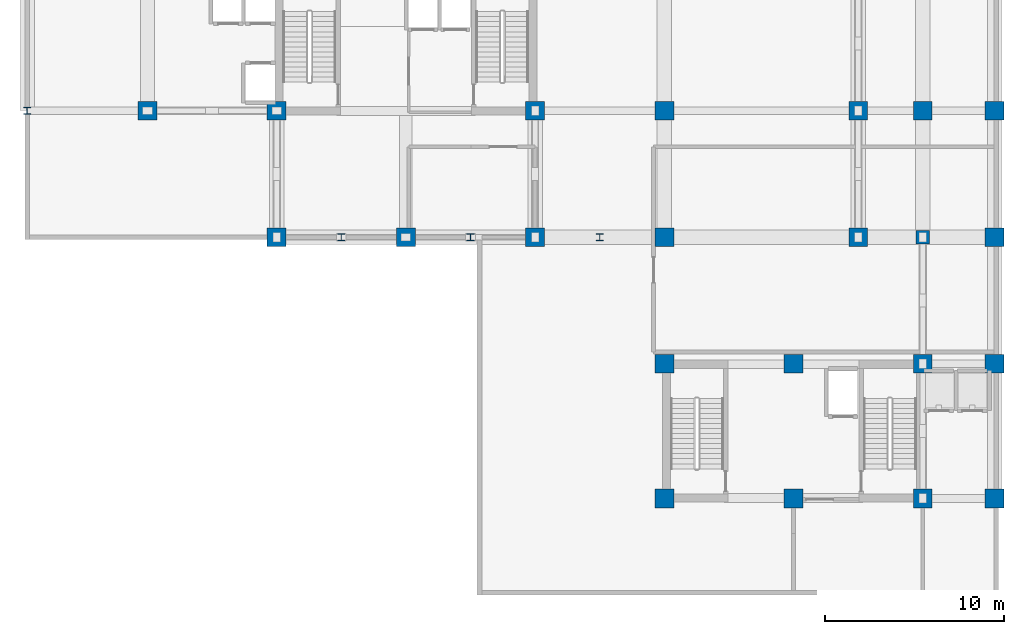
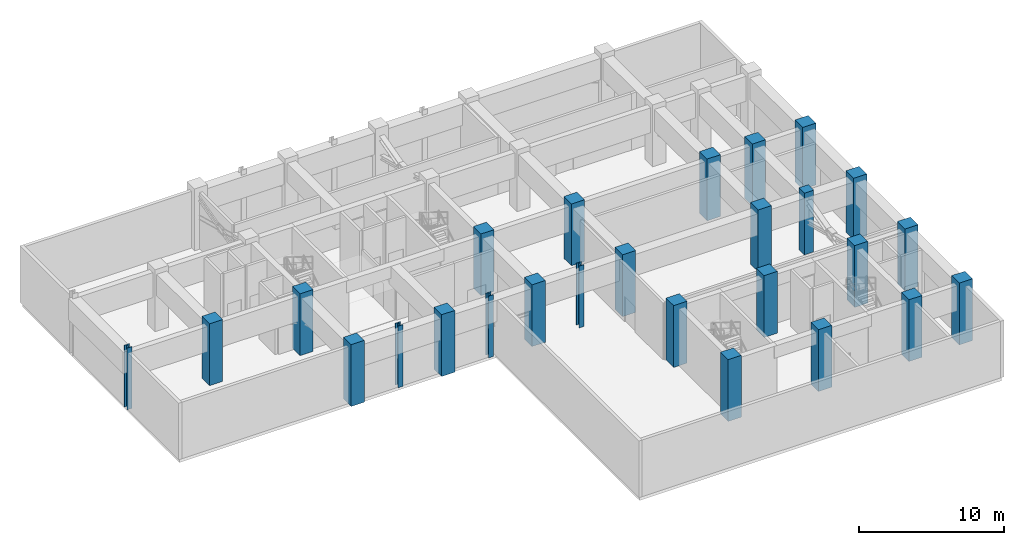
# One storey, part 1 of 10: 26 columns.
"""IFC4 building model written with IfcOpenShell, lengths in metres."""

from ifc_helpers import new_model, si_unit, direction, frame, origin, origin_2d, place, context, subcontext, project, spatial, rectangle, i_section, extrude, source, transform, mapped, material, material_profile, profile_set, type_object, element, save


model = new_model("IFC4")

# Units and contexts
model_context = context("Model", 3, precision=1e-05, world=origin(), true_north=direction((0.0, 1.0)))
body_context = subcontext(model_context, "Body", "Model", "MODEL_VIEW")
ifc_project = project(units=[si_unit("LENGTHUNIT", "METRE"), si_unit("AREAUNIT", "SQUARE_METRE"), si_unit("VOLUMEUNIT", "CUBIC_METRE"), si_unit("PLANEANGLEUNIT", "RADIAN"), si_unit("MASSUNIT", "GRAM", prefix="KILO")], contexts=[model_context])

# Site, building, storey
site_placement = place(None, origin())
site = spatial("IfcSite", under=ifc_project, at=site_placement, CompositionType="ELEMENT")
building_placement = place(site_placement, origin())
building = spatial("IfcBuilding", under=site, at=building_placement, Name="Kaliganga Portal Commons", CompositionType="ELEMENT")
storey_placement = place(building_placement, frame((0.0, 0.0, 192.0)))
storey = spatial("IfcBuildingStorey", under=building, at=storey_placement, Name="L49", CompositionType="ELEMENT", Elevation=192.0)

# Columns
ifc_material_1 = material(Name="Concrete C60/75", Category="concrete")
ifc_material_profile_1 = material_profile(ifc_material_1, rectangle(XDim=1.050048828125, YDim=1.050048828125, at=origin_2d()), Name="RC 1050x1050")
ifc_profile_set_1 = profile_set([ifc_material_profile_1], Name="Concrete C60/75")
column_type_1 = type_object("IfcColumnType", Name="COL-MEGA-Z3", PredefinedType="COLUMN", material=ifc_profile_set_1)
shared_shape_1 = source(origin(), body_context, "Body", "SweptSolid", [
    extrude(rectangle(XDim=1.050048828125, YDim=1.050048828125, at=origin_2d()), origin(), (0.0, 0.0, 1.0), 5.199951171875),
])
for number, where, z_axis, x_axis, name in (
    (1, (7.199951171875, 28.64990234375, 0.0), (0.0, 0.0, 1.0), (1.0, 0.0, 0.0), "Column MC-04 L49"),
    (2, (14.39990234375, 21.60009765625, 0.0), (0.0, 0.0, 1.0), (1.0, 0.0, 0.0), "Column MC-04 L49"),
    (3, (14.39990234375, 28.64990234375, 0.0), (0.0, 0.0, 1.0), (1.0, 0.0, 0.0), "Column MC-04 L49"),
    (4, (21.60009765625, 21.60009765625, 0.0), (0.0, 0.0, 1.0), (1.0, 0.0, 0.0), "Column MC-04 L49"),
    (5, (28.800048828125, 21.60009765625, 0.0), (0.0, 0.0, 1.0), (1.0, 0.0, 0.0), "Column MC-04 L49"),
    (6, (28.800048828125, 28.64990234375, 0.0), (0.0, 0.0, 1.0), (1.0, 0.0, 0.0), "Column MC-04 L49"),
    (7, (36.0, 21.60009765625, 0.0), (0.0, 0.0, 1.0), (1.0, 0.0, 0.0), "Column MC-04 L49"),
    (8, (36.0, 28.64990234375, 0.0), (0.0, 0.0, 1.0), (1.0, 0.0, 0.0), "Column MC-04 L49"),
    (9, (46.800048828125, 21.60009765625, 0.0), (0.0, 0.0, 1.0), (1.0, 0.0, 0.0), "Column MC-04 L49"),
    (10, (46.800048828125, 28.64990234375, 0.0), (0.0, 0.0, 1.0), (1.0, 0.0, 0.0), "Column MC-04 L49"),
    (11, (36.0, 7.050048828125, 0.0), (0.0, 0.0, 1.0), (1.0, 0.0, 0.0), "Column MC-04 L49"),
    (12, (36.0, 14.550048828125, 0.0), (0.0, 0.0, 1.0), (1.0, 0.0, 0.0), "Column MC-04 L49"),
    (13, (43.199951171875, 7.050048828125, 0.0), (0.0, 0.0, 1.0), (1.0, 0.0, 0.0), "Column MC-04 L49"),
    (14, (43.199951171875, 14.550048828125, 0.0), (0.0, 0.0, 1.0), (1.0, 0.0, 0.0), "Column MC-04 L49"),
    (15, (50.39990234375, 7.050048828125, 0.0), (0.0, 0.0, 1.0), (1.0, 0.0, 0.0), "Column MC-04 L49"),
    (16, (50.39990234375, 14.550048828125, 0.0), (0.0, 0.0, 1.0), (1.0, 0.0, 0.0), "Column MC-04 L49"),
    (17, (50.39990234375, 28.64990234375, 0.0), (0.0, 0.0, 1.0), (1.0, 0.0, 0.0), "Column MC-04 L49"),
    (18, (54.39990234375, 7.050048828125, 0.0), (0.0, 0.0, 1.0), (1.0, 0.0, 0.0), "Column MC-04 L49"),
    (19, (54.39990234375, 14.550048828125, 0.0), (0.0, 0.0, 1.0), (1.0, 0.0, 0.0), "Column MC-04 L49"),
    (20, (54.39990234375, 21.60009765625, 0.0), (0.0, 0.0, 1.0), (1.0, 0.0, 0.0), "Column MC-04 L49"),
    (21, (54.39990234375, 28.64990234375, 0.0), (0.0, 0.0, 1.0), (1.0, 0.0, 0.0), "Column MC-04 L49"),
):
    element("IfcColumn", number, at=place(storey_placement, frame(where, z_axis=z_axis, x_axis=x_axis)), inside=storey, type_object=column_type_1, Name=name, PredefinedType="COLUMN", context=body_context, shape_type="MappedRepresentation", body=[
        mapped(shared_shape_1, transform((0.0, 0.0, 0.0), x_axis=(1.0, 0.0, 0.0), y_axis=(0.0, 1.0, 0.0), z_axis=(0.0, 0.0, 1.0), scale=1.0)),
    ])
ifc_material_profile_2 = material_profile(ifc_material_1, rectangle(XDim=0.75, YDim=0.75, at=origin_2d()), Name="RC 750x750")
ifc_profile_set_2 = profile_set([ifc_material_profile_2], Name="Concrete C60/75")
column_type_2 = type_object("IfcColumnType", Name="COL-PILASTER-RC", PredefinedType="PILASTER", material=ifc_profile_set_2)
shared_shape_2 = source(origin(), body_context, "Body", "SweptSolid", [
    extrude(rectangle(XDim=0.75, YDim=0.75, at=origin_2d()), origin(), (0.0, 0.0, 1.0), 5.199951171875),
])
column_placement = place(storey_placement, frame((50.39990234375, 21.60009765625, 0.0), z_axis=(0.0, 0.0, 1.0), x_axis=(1.0, 0.0, 0.0)))
element("IfcColumn", 22, at=column_placement, inside=storey, type_object=column_type_2, Name="Column CP-01 L49", PredefinedType="PILASTER", context=body_context, shape_type="MappedRepresentation", body=[
    mapped(shared_shape_2, transform((0.0, 0.0, 0.0), x_axis=(1.0, 0.0, 0.0), y_axis=(0.0, 1.0, 0.0), z_axis=(0.0, 0.0, 1.0), scale=1.0)),
])
ifc_material_2 = material(Name="Structural steel S460M", Category="steel")
ifc_material_profile_3 = material_profile(ifc_material_2, i_section(OverallWidth=0.404052734375, OverallDepth=0.4140625, WebThickness=0.0205078125, FlangeThickness=0.028076171875, FilletRadius=0.014892578125, at=origin_2d()), Name="HD 400x347")
ifc_profile_set_3 = profile_set([ifc_material_profile_3], Name="Structural steel S460M wide-flange")
column_type_3 = type_object("IfcColumnType", Name="COL-TUBE-B3", PredefinedType="COLUMN", material=ifc_profile_set_3)
shared_shape_3 = source(origin(), body_context, "Body", "SweptSolid", [
    extrude(i_section(OverallWidth=0.404052734375, OverallDepth=0.4140625, WebThickness=0.0205078125, FlangeThickness=0.028076171875, FilletRadius=0.014892578125, at=origin_2d()), origin(), (0.0, 0.0, 1.0), 5.199951171875),
])
for number, where, z_axis, x_axis, name in (
    (23, (0.5, 28.64990234375, 0.0), (0.0, 0.0, 1.0), (1.0, 0.0, 0.0), "Column TC-03 L49"),
    (24, (18.0, 21.60009765625, 0.0), (0.0, 0.0, 1.0), (1.0, 0.0, 0.0), "Column TC-03 L49"),
    (25, (25.199951171875, 21.60009765625, 0.0), (0.0, 0.0, 1.0), (1.0, 0.0, 0.0), "Column TC-03 L49"),
    (26, (32.39990234375, 21.60009765625, 0.0), (0.0, 0.0, 1.0), (1.0, 0.0, 0.0), "Column TC-03 L49"),
):
    element("IfcColumn", number, at=place(storey_placement, frame(where, z_axis=z_axis, x_axis=x_axis)), inside=storey, type_object=column_type_3, Name=name, PredefinedType="COLUMN", context=body_context, shape_type="MappedRepresentation", body=[
        mapped(shared_shape_3, transform((0.0, 0.0, 0.0), x_axis=(1.0, 0.0, 0.0), y_axis=(0.0, 1.0, 0.0), z_axis=(0.0, 0.0, 1.0), scale=1.0)),
    ])

save(model, "model.ifc")
